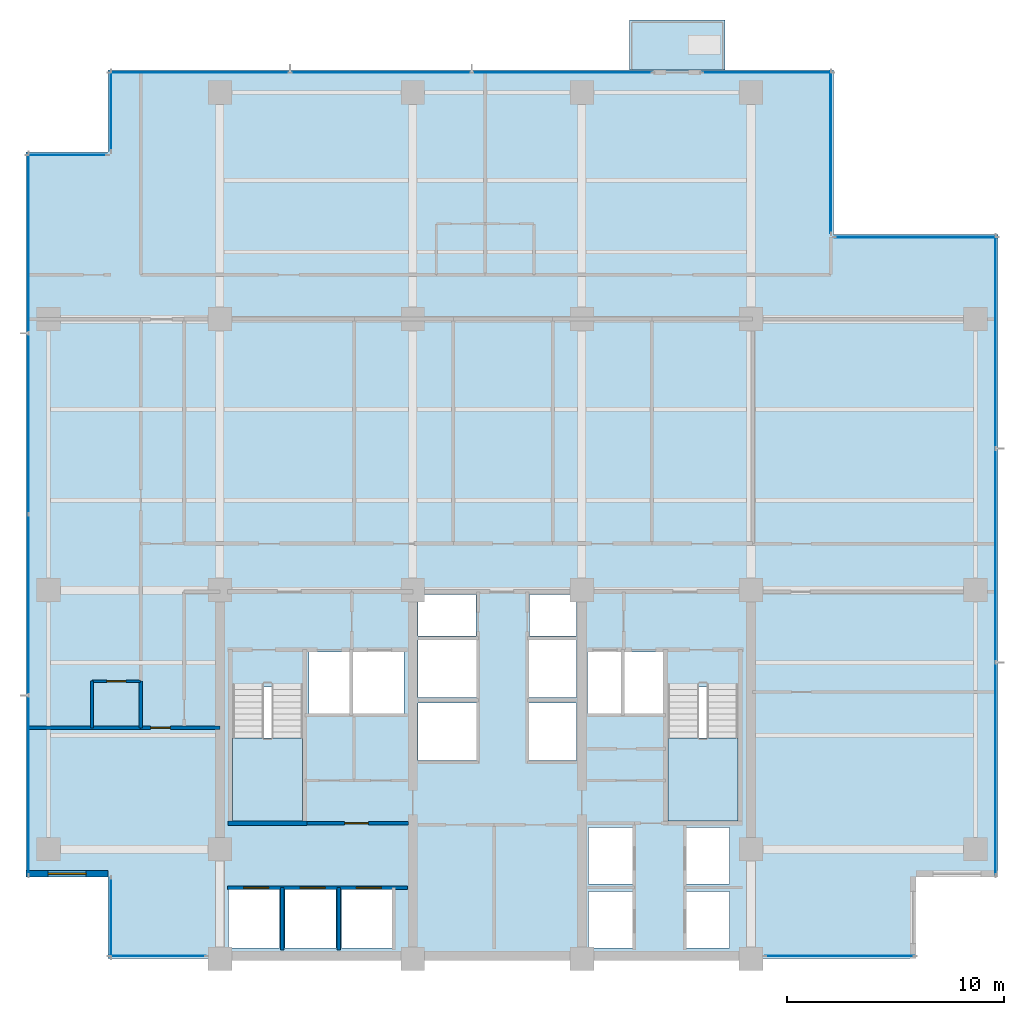
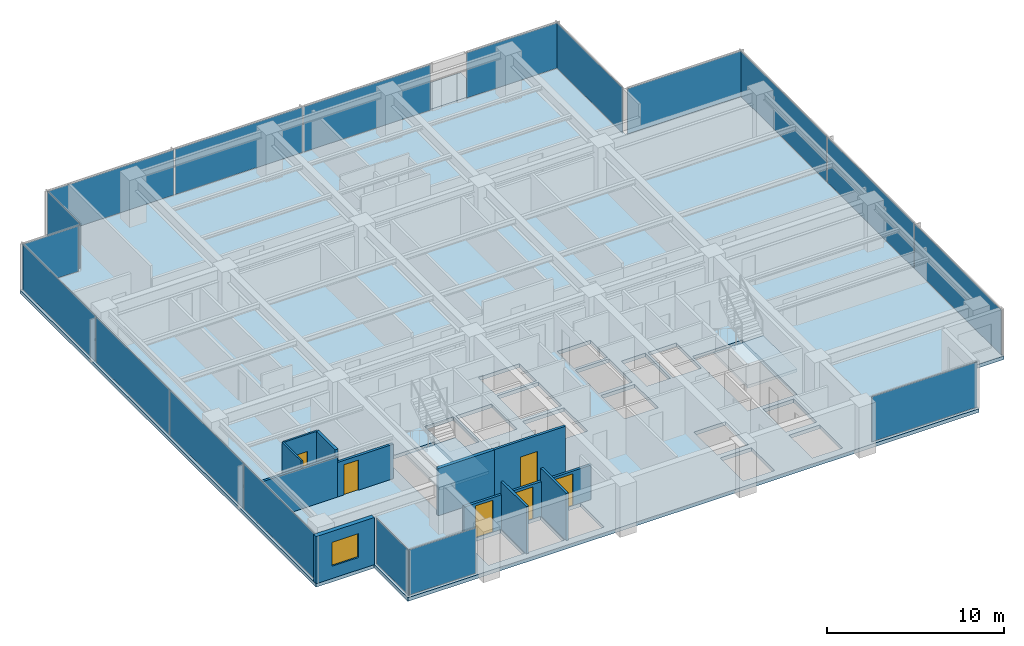
# One storey, part 6 of 15: 18 plates, 11 walls, 6 doors, 4 slabs, 1 window, 7 openings, 13 elements without a shape of their own.
"""IFC4 building model written with IfcOpenShell, lengths in metres."""

from ifc_helpers import new_model, si_unit, direction, frame, frame_2d, origin, origin_2d, place, context, subcontext, project, spatial, polyline, rectangle, outline, extrude, material, layer, layer_set, type_object, element, fill, aggregate, save


model = new_model("IFC4")

# Units and contexts
model_context = context("Model", 3, precision=1e-05, world=origin(), true_north=direction((0.0, 1.0)))
body_context = subcontext(model_context, "Body", "Model", "MODEL_VIEW")
ifc_project = project(units=[si_unit("LENGTHUNIT", "METRE"), si_unit("AREAUNIT", "SQUARE_METRE"), si_unit("VOLUMEUNIT", "CUBIC_METRE"), si_unit("PLANEANGLEUNIT", "RADIAN"), si_unit("MASSUNIT", "GRAM", prefix="KILO")], contexts=[model_context])

# Site, building, storey
site_placement = place(None, origin())
site = spatial("IfcSite", under=ifc_project, at=site_placement, CompositionType="ELEMENT")
building_placement = place(site_placement, origin())
building = spatial("IfcBuilding", under=site, at=building_placement, Name="Qalmaran Belvedere Hotel", CompositionType="ELEMENT")
storey_placement = place(building_placement, frame((0.0, 0.0, 149.10009765625)))
storey = spatial("IfcBuildingStorey", under=building, at=storey_placement, Name="L37", CompositionType="ELEMENT", Elevation=149.10009765625)

# Curtain wall, plate
ifc_material_1 = material(Name="Anodised Bronze Aluminium", Category="aluminium")
ifc_layer_1 = layer(ifc_material_1, 0.195068359375, Name="Anodised Bronze Aluminium")
ifc_layer_set_1 = layer_set([ifc_layer_1], Name="Anodised Bronze Aluminium")
curtain_wall_type = type_object("IfcCurtainWallType", Name="CW4-TOWER-HIGHMID", PredefinedType="NOTDEFINED", material=ifc_layer_set_1)
curtain_wall_1_placement = place(storey_placement, origin())
curtain_wall_1 = element("IfcCurtainWall", 1, at=curtain_wall_1_placement, inside=storey, type_object=curtain_wall_type, Name="L37 Curtain Wall CW4", PredefinedType="NOTDEFINED")
ifc_material_2 = material(Name="Solar-Control Double Glazing", Category="glass")
ifc_layer_2 = layer(ifc_material_2, 0.028076171875, Name="Solar-Control Double Glazing")
ifc_layer_set_2 = layer_set([ifc_layer_2], Name="Solar-Control Double Glazing")
plate_type = type_object("IfcPlateType", Name="CWP-VISION-28", PredefinedType="CURTAIN_PANEL", material=ifc_layer_set_2)
plate_1_placement = place(storey_placement, frame((17.429931640625, 3.6201171875, 0.06494140625), z_axis=(0.0, 0.0, 1.0), x_axis=(1.0, 0.0, 0.0)))
plate_1 = element("IfcPlate", 2, at=plate_1_placement, type_object=plate_type, Name="CW4 panel 1.1", PredefinedType="CURTAIN_PANEL", context=body_context, shape_type="SweptSolid", body=[
    extrude(rectangle(XDim=4.419921875, YDim=0.028076171875, at=origin_2d()), origin(), (0.0, 0.0, 1.0), 3.1201171875),
])
aggregate(curtain_wall_1, [plate_1])

curtain_wall_2_placement = place(storey_placement, origin())
curtain_wall_2 = element("IfcCurtainWall", 3, at=curtain_wall_2_placement, inside=storey, type_object=curtain_wall_type, Name="L37 Curtain Wall CW4", PredefinedType="NOTDEFINED")
plate_2_placement = place(storey_placement, frame((48.89501953125, 3.6201171875, 0.06494140625), z_axis=(0.0, 0.0, 1.0), x_axis=(1.0, 0.0, 0.0)))
plate_2 = element("IfcPlate", 4, at=plate_2_placement, type_object=plate_type, Name="CW4 panel 1.1", PredefinedType="CURTAIN_PANEL", context=body_context, shape_type="SweptSolid", body=[
    extrude(rectangle(XDim=6.8701171875, YDim=0.028076171875, at=origin_2d()), origin(), (0.0, 0.0, 1.0), 3.1201171875),
])
aggregate(curtain_wall_2, [plate_2])

# Curtain wall, plates
curtain_wall_3_placement = place(storey_placement, origin())
curtain_wall_3 = element("IfcCurtainWall", 5, at=curtain_wall_3_placement, inside=storey, type_object=curtain_wall_type, Name="L37 Curtain Wall CW4", PredefinedType="NOTDEFINED")
plate_3_placement = place(storey_placement, frame((56.080078125, 12.250732421875, 0.06494140625), z_axis=(0.0, 0.0, 1.0), x_axis=(0.0, 1.0, 0.0)))
plate_3 = element("IfcPlate", 6, at=plate_3_placement, type_object=plate_type, Name="CW4 panel 1.1", PredefinedType="CURTAIN_PANEL", context=body_context, shape_type="SweptSolid", body=[
    extrude(rectangle(XDim=9.76171875, YDim=0.028076171875, at=origin_2d()), origin(), (0.0, 0.0, 1.0), 3.1201171875),
])
plate_4_placement = place(storey_placement, frame((56.080078125, 22.10009765625, 0.06494140625), z_axis=(0.0, 0.0, 1.0), x_axis=(0.0, 1.0, 0.0)))
plate_4 = element("IfcPlate", 7, at=plate_4_placement, type_object=plate_type, Name="CW4 panel 2.1", PredefinedType="CURTAIN_PANEL", context=body_context, shape_type="SweptSolid", body=[
    extrude(rectangle(XDim=9.796630859375, YDim=0.028076171875, at=origin_2d()), origin(), (0.0, 0.0, 1.0), 3.1201171875),
])
plate_5_placement = place(storey_placement, frame((56.080078125, 31.94921875, 0.06494140625), z_axis=(0.0, 0.0, 1.0), x_axis=(0.0, 1.0, 0.0)))
plate_5 = element("IfcPlate", 8, at=plate_5_placement, type_object=plate_type, Name="CW4 panel 3.1", PredefinedType="CURTAIN_PANEL", context=body_context, shape_type="SweptSolid", body=[
    extrude(rectangle(XDim=9.76171875, YDim=0.028076171875, at=origin_2d()), origin(), (0.0, 0.0, 1.0), 3.1201171875),
])
aggregate(curtain_wall_3, [plate_3, plate_4, plate_5])

# Curtain wall, plate
curtain_wall_4_placement = place(storey_placement, origin())
curtain_wall_4 = element("IfcCurtainWall", 9, at=curtain_wall_4_placement, inside=storey, type_object=curtain_wall_type, Name="L37 Curtain Wall CW4", PredefinedType="NOTDEFINED")
plate_6_placement = place(storey_placement, frame((52.39990234375, 36.780029296875, 0.06494140625), z_axis=(0.0, 0.0, 1.0), x_axis=(-1.0, 0.0, 0.0)))
plate_6 = element("IfcPlate", 10, at=plate_6_placement, type_object=plate_type, Name="CW4 panel 1.1", PredefinedType="CURTAIN_PANEL", context=body_context, shape_type="SweptSolid", body=[
    extrude(rectangle(XDim=7.4599609375, YDim=0.028076171875, at=origin_2d()), origin(), (0.0, 0.0, 1.0), 3.1201171875),
])
aggregate(curtain_wall_4, [plate_6])

curtain_wall_5_placement = place(storey_placement, origin())
curtain_wall_5 = element("IfcCurtainWall", 11, at=curtain_wall_5_placement, inside=storey, type_object=curtain_wall_type, Name="L37 Curtain Wall CW4", PredefinedType="NOTDEFINED")
plate_7_placement = place(storey_placement, frame((48.47998046875, 40.699951171875, 0.06494140625), z_axis=(0.0, 0.0, 1.0), x_axis=(0.0, 1.0, 0.0)))
plate_7 = element("IfcPlate", 12, at=plate_7_placement, type_object=plate_type, Name="CW4 panel 1.1", PredefinedType="CURTAIN_PANEL", context=body_context, shape_type="SweptSolid", body=[
    extrude(rectangle(XDim=7.4599609375, YDim=0.028076171875, at=origin_2d()), origin(), (0.0, 0.0, 1.0), 3.1201171875),
])
aggregate(curtain_wall_5, [plate_7])

# Curtain wall, plates
curtain_wall_6_placement = place(storey_placement, origin())
curtain_wall_6 = element("IfcCurtainWall", 13, at=curtain_wall_6_placement, inside=storey, type_object=curtain_wall_type, Name="L37 Curtain Wall CW4", PredefinedType="NOTDEFINED")
plate_8_placement = place(storey_placement, frame((36.0908203125, 44.3798828125, 0.06494140625), z_axis=(0.0, 0.0, 1.0), x_axis=(-1.0, 0.0, 0.0)))
plate_8 = element("IfcPlate", 14, at=plate_8_placement, type_object=plate_type, Name="CW4 panel 1.1", PredefinedType="CURTAIN_PANEL", context=body_context, shape_type="SweptSolid", body=[
    extrude(rectangle(XDim=8.2783203125, YDim=0.028076171875, at=origin_2d()), origin(), (0.0, 0.0, 1.0), 3.1201171875),
])
plate_9_placement = place(storey_placement, frame((27.72509765625, 44.3798828125, 0.06494140625), z_axis=(0.0, 0.0, 1.0), x_axis=(-1.0, 0.0, 0.0)))
plate_9 = element("IfcPlate", 15, at=plate_9_placement, type_object=plate_type, Name="CW4 panel 2.1", PredefinedType="CURTAIN_PANEL", context=body_context, shape_type="SweptSolid", body=[
    extrude(rectangle(XDim=8.313232421875, YDim=0.028076171875, at=origin_2d()), origin(), (0.0, 0.0, 1.0), 3.1201171875),
])
plate_10_placement = place(storey_placement, frame((19.359130859375, 44.3798828125, 0.06494140625), z_axis=(0.0, 0.0, 1.0), x_axis=(-1.0, 0.0, 0.0)))
plate_10 = element("IfcPlate", 16, at=plate_10_placement, type_object=plate_type, Name="CW4 panel 3.1", PredefinedType="CURTAIN_PANEL", context=body_context, shape_type="SweptSolid", body=[
    extrude(rectangle(XDim=8.2783203125, YDim=0.028076171875, at=origin_2d()), origin(), (0.0, 0.0, 1.0), 3.1201171875),
])
aggregate(curtain_wall_6, [plate_8, plate_9, plate_10])

# Curtain wall, plate
curtain_wall_7_placement = place(storey_placement, origin())
curtain_wall_7 = element("IfcCurtainWall", 17, at=curtain_wall_7_placement, inside=storey, type_object=curtain_wall_type, Name="L37 Curtain Wall CW4", PredefinedType="NOTDEFINED")
plate_11_placement = place(storey_placement, frame((45.550048828125, 44.3798828125, 0.06494140625), z_axis=(0.0, 0.0, 1.0), x_axis=(-1.0, 0.0, 0.0)))
plate_11 = element("IfcPlate", 18, at=plate_11_placement, type_object=plate_type, Name="CW4 panel 1.1", PredefinedType="CURTAIN_PANEL", context=body_context, shape_type="SweptSolid", body=[
    extrude(rectangle(XDim=5.9599609375, YDim=0.028076171875, at=origin_2d()), origin(), (0.0, 0.0, 1.0), 3.1201171875),
])
aggregate(curtain_wall_7, [plate_11])

curtain_wall_8_placement = place(storey_placement, origin())
curtain_wall_8 = element("IfcCurtainWall", 19, at=curtain_wall_8_placement, inside=storey, type_object=curtain_wall_type, Name="L37 Curtain Wall CW4", PredefinedType="NOTDEFINED")
plate_12_placement = place(storey_placement, frame((15.27001953125, 42.60009765625, 0.06494140625), z_axis=(0.0, 0.0, 1.0), x_axis=(0.0, -1.0, 0.0)))
plate_12 = element("IfcPlate", 20, at=plate_12_placement, type_object=plate_type, Name="CW4 panel 1.1", PredefinedType="CURTAIN_PANEL", context=body_context, shape_type="SweptSolid", body=[
    extrude(rectangle(XDim=3.659912109375, YDim=0.028076171875, at=origin_2d()), origin(), (0.0, 0.0, 1.0), 3.1201171875),
])
aggregate(curtain_wall_8, [plate_12])

curtain_wall_9_placement = place(storey_placement, origin())
curtain_wall_9 = element("IfcCurtainWall", 21, at=curtain_wall_9_placement, inside=storey, type_object=curtain_wall_type, Name="L37 Curtain Wall CW4", PredefinedType="NOTDEFINED")
plate_13_placement = place(storey_placement, frame((13.25, 40.580078125, 0.06494140625), z_axis=(0.0, 0.0, 1.0), x_axis=(-1.0, 0.0, 0.0)))
plate_13 = element("IfcPlate", 22, at=plate_13_placement, type_object=plate_type, Name="CW4 panel 1.1", PredefinedType="CURTAIN_PANEL", context=body_context, shape_type="SweptSolid", body=[
    extrude(rectangle(XDim=3.659912109375, YDim=0.028076171875, at=origin_2d()), origin(), (0.0, 0.0, 1.0), 3.1201171875),
])
aggregate(curtain_wall_9, [plate_13])

# Curtain wall, plates
curtain_wall_10_placement = place(storey_placement, origin())
curtain_wall_10 = element("IfcCurtainWall", 23, at=curtain_wall_10_placement, inside=storey, type_object=curtain_wall_type, Name="L37 Curtain Wall CW4", PredefinedType="NOTDEFINED")
plate_14_placement = place(storey_placement, frame((11.469970703125, 36.507568359375, 0.06494140625), z_axis=(0.0, 0.0, 1.0), x_axis=(0.0, -1.0, 0.0)))
plate_14 = element("IfcPlate", 24, at=plate_14_placement, type_object=plate_type, Name="CW4 panel 1.1", PredefinedType="CURTAIN_PANEL", context=body_context, shape_type="SweptSolid", body=[
    extrude(rectangle(XDim=8.2451171875, YDim=0.028076171875, at=origin_2d()), origin(), (0.0, 0.0, 1.0), 3.1201171875),
])
plate_15_placement = place(storey_placement, frame((11.469970703125, 28.175048828125, 0.06494140625), z_axis=(0.0, 0.0, 1.0), x_axis=(0.0, -1.0, 0.0)))
plate_15 = element("IfcPlate", 25, at=plate_15_placement, type_object=plate_type, Name="CW4 panel 2.1", PredefinedType="CURTAIN_PANEL", context=body_context, shape_type="SweptSolid", body=[
    extrude(rectangle(XDim=8.280029296875, YDim=0.028076171875, at=origin_2d()), origin(), (0.0, 0.0, 1.0), 3.1201171875),
])
plate_16_placement = place(storey_placement, frame((11.469970703125, 19.824951171875, 0.06494140625), z_axis=(0.0, 0.0, 1.0), x_axis=(0.0, -1.0, 0.0)))
plate_16 = element("IfcPlate", 26, at=plate_16_placement, type_object=plate_type, Name="CW4 panel 3.1", PredefinedType="CURTAIN_PANEL", context=body_context, shape_type="SweptSolid", body=[
    extrude(rectangle(XDim=8.280029296875, YDim=0.028076171875, at=origin_2d()), origin(), (0.0, 0.0, 1.0), 3.1201171875),
])
plate_17_placement = place(storey_placement, frame((11.469970703125, 11.492431640625, 0.06494140625), z_axis=(0.0, 0.0, 1.0), x_axis=(0.0, -1.0, 0.0)))
plate_17 = element("IfcPlate", 27, at=plate_17_placement, type_object=plate_type, Name="CW4 panel 4.1", PredefinedType="CURTAIN_PANEL", context=body_context, shape_type="SweptSolid", body=[
    extrude(rectangle(XDim=8.2451171875, YDim=0.028076171875, at=origin_2d()), origin(), (0.0, 0.0, 1.0), 3.1201171875),
])
aggregate(curtain_wall_10, [plate_14, plate_15, plate_16, plate_17])

# Curtain wall, plate
curtain_wall_11_placement = place(storey_placement, origin())
curtain_wall_11 = element("IfcCurtainWall", 28, at=curtain_wall_11_placement, inside=storey, type_object=curtain_wall_type, Name="L37 Curtain Wall CW4", PredefinedType="NOTDEFINED")
plate_18_placement = place(storey_placement, frame((15.27001953125, 5.39990234375, 0.06494140625), z_axis=(0.0, 0.0, 1.0), x_axis=(0.0, -1.0, 0.0)))
plate_18 = element("IfcPlate", 29, at=plate_18_placement, type_object=plate_type, Name="CW4 panel 1.1", PredefinedType="CURTAIN_PANEL", context=body_context, shape_type="SweptSolid", body=[
    extrude(rectangle(XDim=3.659912109375, YDim=0.028076171875, at=origin_2d()), origin(), (0.0, 0.0, 1.0), 3.1201171875),
])
aggregate(curtain_wall_11, [plate_18])

# Slab
ifc_material_3 = material(Name="Concrete C40/50", Category="concrete")
ifc_layer_3 = layer(ifc_material_3, 0.219970703125, Name="Concrete C40/50")
ifc_layer_set_3 = layer_set([ifc_layer_3], Name="Concrete C40/50")
slab_type_1 = type_object("IfcSlabType", Name="SLB-BAL-220", PredefinedType="USERDEFINED", material=ifc_layer_set_3)
slab_1_placement = place(storey_placement, frame((0.0, 0.0, -0.22021484375)))
element("IfcSlab", 30, at=slab_1_placement, inside=storey, type_object=slab_type_1, Name="L37 Planted Tree Balcony Slab 1", ObjectType="BALCONY", PredefinedType="USERDEFINED", context=body_context, shape_type="SweptSolid", body=[
    extrude(outline(polyline([(39.199951171875, 44.5), (43.60009765625, 44.5), (43.60009765625, 46.800048828125), (39.199951171875, 46.800048828125), (39.199951171875, 44.5)])), origin(), (0.0, 0.0, 1.0), 0.22021484375),
])

# Stair, slab
stair_type_1 = type_object("IfcStairType", Name="STR-ST-1-1450-R1750", PredefinedType="HALF_TURN_STAIR", material=ifc_material_3)
stair_1_placement = place(storey_placement, origin())
stair_1 = element("IfcStair", 31, at=stair_1_placement, inside=storey, type_object=stair_type_1, Name="L37 West Core Exit Stair ST-1", PredefinedType="HALF_TURN_STAIR")
ifc_layer_4 = layer(ifc_material_3, 0.199951171875, Name="Concrete C40/50")
ifc_layer_set_4 = layer_set([ifc_layer_4], Name="Concrete C40/50")
slab_type_2 = type_object("IfcSlabType", Name="SLB-STAIR-LANDING-200", PredefinedType="LANDING", material=ifc_layer_set_4)
slab_2_placement = place(storey_placement, frame((0.0, 0.0, 1.5498046875)))
slab_2 = element("IfcSlab", 32, at=slab_2_placement, type_object=slab_type_2, Name="ST-1 landing 1", PredefinedType="LANDING", context=body_context, shape_type="SweptSolid", body=[
    extrude(outline(polyline([(20.8798828125, 13.669921875), (20.8798828125, 9.85009765625), (24.1201171875, 9.85009765625), (24.1201171875, 13.669921875), (20.8798828125, 13.669921875)])), origin(), (0.0, 0.0, 1.0), 0.2001953125),
])
aggregate(stair_1, [slab_2])

stair_type_2 = type_object("IfcStairType", Name="STR-ST-2-1450-R1750", PredefinedType="HALF_TURN_STAIR", material=ifc_material_3)
stair_2_placement = place(storey_placement, origin())
stair_2 = element("IfcStair", 33, at=stair_2_placement, inside=storey, type_object=stair_type_2, Name="L37 East Core Exit Stair ST-2", PredefinedType="HALF_TURN_STAIR")
slab_3_placement = place(storey_placement, frame((0.0, 0.0, 1.5498046875)))
slab_3 = element("IfcSlab", 34, at=slab_3_placement, type_object=slab_type_2, Name="ST-2 landing 1", PredefinedType="LANDING", context=body_context, shape_type="SweptSolid", body=[
    extrude(outline(polyline([(40.9599609375, 13.669921875), (40.9599609375, 9.85009765625), (44.199951171875, 9.85009765625), (44.199951171875, 13.669921875), (40.9599609375, 13.669921875)])), origin(), (0.0, 0.0, 1.0), 0.2001953125),
])
aggregate(stair_2, [slab_3])

# Slab
ifc_layer_5 = layer(ifc_material_3, 0.25, Name="Concrete C40/50")
ifc_layer_set_5 = layer_set([ifc_layer_5], Name="Concrete C40/50")
slab_type_3 = type_object("IfcSlabType", Name="SLB-Z3-250", PredefinedType="FLOOR", material=ifc_layer_set_5)
slab_4_placement = place(storey_placement, frame((0.0, 0.0, -0.25)))
element("IfcSlab", 35, at=slab_4_placement, inside=storey, type_object=slab_type_3, Name="L37 Structural Floor Slab", PredefinedType="FLOOR", context=body_context, shape_type="SweptSolid", body=[
    extrude(outline(polyline([(15.14990234375, 3.5), (52.39990234375, 3.5), (52.39990234375, 7.300048828125), (56.199951171875, 7.300048828125), (56.199951171875, 36.89990234375), (48.60009765625, 36.89990234375), (48.60009765625, 44.5), (15.14990234375, 44.5), (15.14990234375, 40.699951171875), (11.35009765625, 40.699951171875), (11.35009765625, 7.300048828125), (15.14990234375, 7.300048828125), (15.14990234375, 3.5)]), holes=[polyline([(20.8798828125, 9.85009765625), (24.1201171875, 9.85009765625), (24.1201171875, 16.0400390625), (20.8798828125, 16.0400390625), (20.8798828125, 9.85009765625)]), polyline([(40.9599609375, 9.85009765625), (44.199951171875, 9.85009765625), (44.199951171875, 16.0400390625), (40.9599609375, 16.0400390625), (40.9599609375, 9.85009765625)]), polyline([(29.445068359375, 12.64990234375), (32.14990234375, 12.64990234375), (32.14990234375, 15.300048828125), (29.445068359375, 15.300048828125), (29.445068359375, 12.64990234375)]), polyline([(29.445068359375, 15.550048828125), (32.14990234375, 15.550048828125), (32.14990234375, 18.199951171875), (29.445068359375, 18.199951171875), (29.445068359375, 15.550048828125)]), polyline([(34.550048828125, 12.64990234375), (36.7548828125, 12.64990234375), (36.7548828125, 15.300048828125), (34.550048828125, 15.300048828125), (34.550048828125, 12.64990234375)]), polyline([(34.550048828125, 15.550048828125), (36.7548828125, 15.550048828125), (36.7548828125, 18.199951171875), (34.550048828125, 18.199951171875), (34.550048828125, 15.550048828125)]), polyline([(37.300048828125, 4.0), (39.35009765625, 4.0), (39.35009765625, 6.60009765625), (37.300048828125, 6.60009765625), (37.300048828125, 4.0)]), polyline([(37.300048828125, 6.949951171875), (39.35009765625, 6.949951171875), (39.35009765625, 9.550048828125), (37.300048828125, 9.550048828125), (37.300048828125, 6.949951171875)]), polyline([(41.800048828125, 4.0), (43.800048828125, 4.0), (43.800048828125, 6.60009765625), (41.800048828125, 6.60009765625), (41.800048828125, 4.0)]), polyline([(41.800048828125, 6.949951171875), (43.800048828125, 6.949951171875), (43.800048828125, 9.550048828125), (41.800048828125, 9.550048828125), (41.800048828125, 6.949951171875)]), polyline([(20.699951171875, 4.0), (23.050048828125, 4.0), (23.050048828125, 6.699951171875), (20.699951171875, 6.699951171875), (20.699951171875, 4.0)]), polyline([(23.300048828125, 4.0), (25.64990234375, 4.0), (25.64990234375, 6.699951171875), (23.300048828125, 6.699951171875), (23.300048828125, 4.0)]), polyline([(25.89990234375, 4.0), (28.25, 4.0), (28.25, 6.699951171875), (25.89990234375, 6.699951171875), (25.89990234375, 4.0)]), polyline([(24.39990234375, 14.800048828125), (26.300048828125, 14.800048828125), (26.300048828125, 17.64990234375), (24.39990234375, 17.64990234375), (24.39990234375, 14.800048828125)]), polyline([(38.949951171875, 14.800048828125), (40.820068359375, 14.800048828125), (40.820068359375, 17.64990234375), (38.949951171875, 17.64990234375), (38.949951171875, 14.800048828125)]), polyline([(26.449951171875, 14.800048828125), (28.800048828125, 14.800048828125), (28.800048828125, 17.64990234375), (26.449951171875, 17.64990234375), (26.449951171875, 14.800048828125)]), polyline([(37.25, 14.800048828125), (38.800048828125, 14.800048828125), (38.800048828125, 17.64990234375), (37.25, 17.64990234375), (37.25, 14.800048828125)]), polyline([(29.445068359375, 18.3798828125), (32.1201171875, 18.3798828125), (32.1201171875, 20.300048828125), (29.445068359375, 20.300048828125), (29.445068359375, 18.3798828125)]), polyline([(34.580078125, 18.3798828125), (36.7548828125, 18.3798828125), (36.7548828125, 20.300048828125), (34.580078125, 20.300048828125), (34.580078125, 18.3798828125)])]), origin(), (0.0, 0.0, 1.0), 0.25),
])

# Wall, opening, window
ifc_material_4 = material(Name="Anodised Bronze Cladding")
ifc_layer_6 = layer(ifc_material_4, 0.280029296875, Name="Anodised Bronze Cladding")
ifc_layer_set_6 = layer_set([ifc_layer_6], Name="Anodised Bronze Cladding")
wall_type_1 = type_object("IfcWallType", Name="WL-EXT-BRNZ-280", PredefinedType="SOLIDWALL", material=ifc_layer_set_6)
wall_1_placement = place(storey_placement, frame((11.35009765625, 7.419921875, 0.0), z_axis=(0.0, 0.0, 1.0), x_axis=(1.0, 0.0, 0.0)))
wall_1 = element("IfcWall", 36, at=wall_1_placement, inside=storey, type_object=wall_type_1, Name="L37 Corner Notch Wall 10", PredefinedType="SOLIDWALL", context=body_context, shape_type="SweptSolid", body=[
    extrude(rectangle(XDim=3.7998046875, YDim=0.280029296875, at=frame_2d((1.89990234375, 0.0))), origin(), (0.0, 0.0, 1.0), 3.25),
])
opening_1_placement = place(wall_1_placement, frame((1.02490234375, 0.0, 0.85009765625)))
opening_1 = element("IfcOpeningElement", 37, at=opening_1_placement, cuts=wall_1, Name="Opening W-N17", PredefinedType="OPENING", context=body_context, shape_type="SweptSolid", body=[
    extrude(rectangle(XDim=1.75, YDim=1.64990234375, at=frame_2d((0.875, 0.824951171875))), frame((0.0, 0.14990234375, 0.0), z_axis=(0.0, -1.0, 0.0), x_axis=(1.0, 0.0, 0.0)), (0.0, 0.0, 1.0), 0.300048828125),
])
window_type = type_object("IfcWindowType", Name="WN-NTC-1750X1650", PartitioningType="SINGLE_PANEL", PredefinedType="WINDOW", material=ifc_material_2)
window_placement = place(opening_1_placement, origin())
window = element("IfcWindow", 38, at=window_placement, inside=storey, type_object=window_type, Name="L37 Corner Notch Window 10", OverallHeight=1.64990234375, OverallWidth=1.75, PartitioningType="SINGLE_PANEL", PredefinedType="WINDOW", context=body_context, shape_type="SweptSolid", body=[
    extrude(rectangle(XDim=1.75, YDim=1.64990234375, at=frame_2d((0.875, 0.824951171875))), frame((0.0, 0.030029296875, 0.0), z_axis=(0.0, -1.0, 0.0), x_axis=(1.0, 0.0, 0.0)), (0.0, 0.0, 1.0), 0.06005859375),
])
fill(opening_1, window)

# Wall, opening, door
ifc_material_5 = material(Name="Moisture-Resistant Gypsum")
ifc_layer_7 = layer(ifc_material_5, 0.1201171875, Name="Moisture-Resistant Gypsum")
ifc_layer_set_7 = layer_set([ifc_layer_7], Name="Moisture-Resistant Gypsum")
wall_type_2 = type_object("IfcWallType", Name="WL-INT-120-BATH", PredefinedType="PARTITIONING", material=ifc_layer_set_7)
wall_2_placement = place(storey_placement, frame((14.39990234375, 16.300048828125, 0.0), z_axis=(0.0, 0.0, 1.0), x_axis=(1.0, 0.0, 0.0)))
wall_2 = element("IfcWall", 39, at=wall_2_placement, inside=storey, type_object=wall_type_2, Name="L37 Partition WL-L37-WBN00", PredefinedType="PARTITIONING", context=body_context, shape_type="SweptSolid", body=[
    extrude(rectangle(XDim=2.25, YDim=0.1201171875, at=frame_2d((1.125, 0.0))), origin(), (0.0, 0.0, 1.0), 3.25),
])
opening_2_placement = place(wall_2_placement, frame((1.56494140625, 0.0, 0.0), z_axis=(0.0, 0.0, 1.0), x_axis=(-1.0, 0.0, 0.0)))
opening_2 = element("IfcOpeningElement", 40, at=opening_2_placement, cuts=wall_2, Name="Opening D-BATH", PredefinedType="OPENING", context=body_context, shape_type="SweptSolid", body=[
    extrude(rectangle(XDim=0.8798828125, YDim=2.080078125, at=frame_2d((0.43994140625, 1.0400390625))), frame((0.0, 0.070068359375, 0.0), z_axis=(0.0, -1.0, 0.0), x_axis=(1.0, 0.0, 0.0)), (0.0, 0.0, 1.0), 0.14013671875),
])
ifc_material_6 = material(Name="Engineered Oak Veneer")
door_type_1 = type_object("IfcDoorType", Name="DR-INT-BATH-880X2080", OperationType="NOTDEFINED", PredefinedType="DOOR", material=ifc_material_6)
door_1_placement = place(opening_2_placement, origin())
door_1 = element("IfcDoor", 41, at=door_1_placement, inside=storey, type_object=door_type_1, Name="L37 W Ensuite Door 01", OperationType="SINGLE_SWING_RIGHT", OverallHeight=2.080078125, OverallWidth=0.8798828125, PredefinedType="DOOR", context=body_context, shape_type="SweptSolid", body=[
    extrude(rectangle(XDim=0.8798828125, YDim=2.080078125, at=frame_2d((0.43994140625, 1.0400390625))), frame((0.0, 0.02490234375, 0.0), z_axis=(0.0, -1.0, 0.0), x_axis=(1.0, 0.0, 0.0)), (0.0, 0.0, 1.0), 0.050048828125),
])
fill(opening_2, door_1)

# Walls
wall_3_placement = place(storey_placement, frame((14.39990234375, 14.14990234375, 0.0), z_axis=(0.0, 0.0, 1.0), x_axis=(0.0, 1.0, 0.0)))
element("IfcWall", 42, at=wall_3_placement, inside=storey, type_object=wall_type_2, Name="L37 Partition WL-L37-WBS00", PredefinedType="PARTITIONING", context=body_context, shape_type="SweptSolid", body=[
    extrude(rectangle(XDim=2.150146484375, YDim=0.1201171875, at=frame_2d((1.0751953125, 0.0))), origin(), (0.0, 0.0, 1.0), 3.25),
])
ifc_material_7 = material(Name="Gypsum Stud Partition")
ifc_layer_8 = layer(ifc_material_7, 0.14990234375, Name="Gypsum Stud Partition")
ifc_layer_set_8 = layer_set([ifc_layer_8], Name="Gypsum Stud Partition")
wall_type_3 = type_object("IfcWallType", Name="WL-INT-150-EI120", PredefinedType="PARTITIONING", material=ifc_layer_set_8)
for number, where, z_axis, x_axis, name in (
    (43, (23.179931640625, 3.89990234375, 0.0), (0.0, 0.0, 1.0), (0.0, 1.0, 0.0), "L37 Partition WL-POM1-L37"),
    (44, (25.780029296875, 3.89990234375, 0.0), (0.0, 0.0, 1.0), (0.0, 1.0, 0.0), "L37 Partition WL-POM2-L37"),
):
    element("IfcWall", number, at=place(storey_placement, frame(where, z_axis=z_axis, x_axis=x_axis)), inside=storey, type_object=wall_type_3, Name=name, PredefinedType="PARTITIONING", context=body_context, shape_type="SweptSolid", body=[
        extrude(rectangle(XDim=2.880126953125, YDim=0.14990234375, at=frame_2d((1.43994140625, 0.0))), origin(), (0.0, 0.0, 1.0), 3.25),
    ])

# Wall, openings, doors
ifc_layer_9 = layer(ifc_material_7, 0.159912109375, Name="Gypsum Stud Partition")
ifc_layer_set_9 = layer_set([ifc_layer_9], Name="Gypsum Stud Partition")
wall_type_4 = type_object("IfcWallType", Name="WL-INT-160-EI120", PredefinedType="PARTITIONING", material=ifc_layer_set_9)
wall_4_placement = place(storey_placement, frame((20.64990234375, 6.780029296875, 0.0), z_axis=(0.0, 0.0, 1.0), x_axis=(1.0, 0.0, 0.0)))
wall_4 = element("IfcWall", 45, at=wall_4_placement, inside=storey, type_object=wall_type_4, Name="L37 Partition WL-POS-L37", PredefinedType="PARTITIONING", context=body_context, shape_type="SweptSolid", body=[
    extrude(rectangle(XDim=8.300048828125, YDim=0.159912109375, at=frame_2d((4.14990234375, 0.0))), origin(), (0.0, 0.0, 1.0), 2.3798828125),
])
opening_3_placement = place(wall_4_placement, frame((0.75, 0.0, 0.0)))
opening_3 = element("IfcOpeningElement", 46, at=opening_3_placement, cuts=wall_4, Name="Opening LD-PO", PredefinedType="OPENING", context=body_context, shape_type="SweptSolid", body=[
    extrude(rectangle(XDim=1.14990234375, YDim=2.199951171875, at=frame_2d((0.574951171875, 1.10009765625))), frame((0.0, 0.08984375, 0.0), z_axis=(0.0, -1.0, 0.0), x_axis=(1.0, 0.0, 0.0)), (0.0, 0.0, 1.0), 0.179931640625),
])
opening_4_placement = place(wall_4_placement, frame((3.35009765625, 0.0, 0.0)))
opening_4 = element("IfcOpeningElement", 47, at=opening_4_placement, cuts=wall_4, Name="Opening LD-PO", PredefinedType="OPENING", context=body_context, shape_type="SweptSolid", body=[
    extrude(rectangle(XDim=1.14990234375, YDim=2.199951171875, at=frame_2d((0.574951171875, 1.10009765625))), frame((0.0, 0.08984375, 0.0), z_axis=(0.0, -1.0, 0.0), x_axis=(1.0, 0.0, 0.0)), (0.0, 0.0, 1.0), 0.179931640625),
])
opening_5_placement = place(wall_4_placement, frame((5.949951171875, 0.0, 0.0)))
opening_5 = element("IfcOpeningElement", 48, at=opening_5_placement, cuts=wall_4, Name="Opening LD-PO", PredefinedType="OPENING", context=body_context, shape_type="SweptSolid", body=[
    extrude(rectangle(XDim=1.14990234375, YDim=2.199951171875, at=frame_2d((0.574951171875, 1.10009765625))), frame((0.0, 0.08984375, 0.0), z_axis=(0.0, -1.0, 0.0), x_axis=(1.0, 0.0, 0.0)), (0.0, 0.0, 1.0), 0.179931640625),
])
door_type_2 = type_object("IfcDoorType", Name="DR-LIFT-PO-1150X2200", OperationType="DOUBLE_DOOR_SLIDING", PredefinedType="DOOR", material=ifc_material_1)
door_2_placement = place(opening_3_placement, origin())
door_2 = element("IfcDoor", 49, at=door_2_placement, inside=storey, type_object=door_type_2, Name="L37 PO1 Shuttle Landing Door", OperationType="DOUBLE_DOOR_SLIDING", OverallHeight=2.199951171875, OverallWidth=1.14990234375, PredefinedType="DOOR", context=body_context, shape_type="SweptSolid", body=[
    extrude(rectangle(XDim=1.14990234375, YDim=2.199951171875, at=frame_2d((0.574951171875, 1.10009765625))), frame((0.0, 0.02490234375, 0.0), z_axis=(0.0, -1.0, 0.0), x_axis=(1.0, 0.0, 0.0)), (0.0, 0.0, 1.0), 0.050048828125),
])
fill(opening_3, door_2)
door_3_placement = place(opening_4_placement, origin())
door_3 = element("IfcDoor", 50, at=door_3_placement, inside=storey, type_object=door_type_2, Name="L37 PO2 Shuttle Landing Door", OperationType="DOUBLE_DOOR_SLIDING", OverallHeight=2.199951171875, OverallWidth=1.14990234375, PredefinedType="DOOR", context=body_context, shape_type="SweptSolid", body=[
    extrude(rectangle(XDim=1.14990234375, YDim=2.199951171875, at=frame_2d((0.574951171875, 1.10009765625))), frame((0.0, 0.02490234375, 0.0), z_axis=(0.0, -1.0, 0.0), x_axis=(1.0, 0.0, 0.0)), (0.0, 0.0, 1.0), 0.050048828125),
])
fill(opening_4, door_3)
door_4_placement = place(opening_5_placement, origin())
door_4 = element("IfcDoor", 51, at=door_4_placement, inside=storey, type_object=door_type_2, Name="L37 PO3 Shuttle Landing Door", OperationType="DOUBLE_DOOR_SLIDING", OverallHeight=2.199951171875, OverallWidth=1.14990234375, PredefinedType="DOOR", context=body_context, shape_type="SweptSolid", body=[
    extrude(rectangle(XDim=1.14990234375, YDim=2.199951171875, at=frame_2d((0.574951171875, 1.10009765625))), frame((0.0, 0.02490234375, 0.0), z_axis=(0.0, -1.0, 0.0), x_axis=(1.0, 0.0, 0.0)), (0.0, 0.0, 1.0), 0.050048828125),
])
fill(opening_5, door_4)

# Wall, opening, door
wall_5_placement = place(storey_placement, frame((24.199951171875, 9.739990234375, 0.0), z_axis=(0.0, 0.0, 1.0), x_axis=(1.0, 0.0, 0.0)))
wall_5 = element("IfcWall", 52, at=wall_5_placement, inside=storey, type_object=wall_type_4, Name="L37 Partition WL-PON-L37", PredefinedType="PARTITIONING", context=body_context, shape_type="SweptSolid", body=[
    extrude(rectangle(XDim=4.800048828125, YDim=0.159912109375, at=frame_2d((2.39990234375, 0.0))), origin(), (0.0, 0.0, 1.0), 3.25),
])
opening_6_placement = place(wall_5_placement, frame((1.85009765625, 0.0, 0.0)))
opening_6 = element("IfcOpeningElement", 53, at=opening_6_placement, cuts=wall_5, Name="Opening FD90", PredefinedType="OPENING", context=body_context, shape_type="SweptSolid", body=[
    extrude(rectangle(XDim=1.10009765625, YDim=2.14990234375, at=frame_2d((0.550048828125, 1.074951171875))), frame((0.0, 0.08984375, 0.0), z_axis=(0.0, -1.0, 0.0), x_axis=(1.0, 0.0, 0.0)), (0.0, 0.0, 1.0), 0.179931640625),
])
ifc_material_8 = material(Name="Steel S355JR", Category="steel")
door_type_3 = type_object("IfcDoorType", Name="DR-FD90-1100X2150", OperationType="NOTDEFINED", PredefinedType="DOOR", material=ifc_material_8)
door_5_placement = place(opening_6_placement, origin())
door_5 = element("IfcDoor", 54, at=door_5_placement, inside=storey, type_object=door_type_3, Name="L37 Shuttle Lobby Passage Door", OperationType="SINGLE_SWING_RIGHT", OverallHeight=2.14990234375, OverallWidth=1.10009765625, PredefinedType="DOOR", context=body_context, shape_type="SweptSolid", body=[
    extrude(rectangle(XDim=1.10009765625, YDim=2.14990234375, at=frame_2d((0.550048828125, 1.074951171875))), frame((0.0, 0.02490234375, 0.0), z_axis=(0.0, -1.0, 0.0), x_axis=(1.0, 0.0, 0.0)), (0.0, 0.0, 1.0), 0.050048828125),
])
fill(opening_6, door_5)

ifc_layer_10 = layer(ifc_material_7, 0.159912109375, Name="Gypsum Stud Partition")
ifc_layer_set_10 = layer_set([ifc_layer_10], Name="Gypsum Stud Partition")
wall_type_5 = type_object("IfcWallType", Name="WL-INT-160-EI60", PredefinedType="PARTITIONING", material=ifc_layer_set_10)
wall_6_placement = place(storey_placement, frame((16.64990234375, 14.14990234375, 0.0), z_axis=(0.0, 0.0, 1.0), x_axis=(1.0, 0.0, 0.0)))
wall_6 = element("IfcWall", 55, at=wall_6_placement, inside=storey, type_object=wall_type_5, Name="L37 Partition WL-L37-SWRL", PredefinedType="PARTITIONING", context=body_context, shape_type="SweptSolid", body=[
    extrude(rectangle(XDim=3.650146484375, YDim=0.159912109375, at=frame_2d((1.8251953125, 0.0))), origin(), (0.0, 0.0, 1.0), 2.3798828125),
])
opening_7_placement = place(wall_6_placement, frame((1.369873046875, 0.0, 0.0), z_axis=(0.0, 0.0, 1.0), x_axis=(-1.0, 0.0, 0.0)))
opening_7 = element("IfcOpeningElement", 56, at=opening_7_placement, cuts=wall_6, Name="Opening FD60S1", PredefinedType="OPENING", context=body_context, shape_type="SweptSolid", body=[
    extrude(rectangle(XDim=0.919921875, YDim=2.080078125, at=frame_2d((0.4599609375, 1.0400390625))), frame((0.0, 0.08984375, 0.0), z_axis=(0.0, -1.0, 0.0), x_axis=(1.0, 0.0, 0.0)), (0.0, 0.0, 1.0), 0.179931640625),
])
door_type_4 = type_object("IfcDoorType", Name="DR-FD60S-920X2080", OperationType="NOTDEFINED", PredefinedType="DOOR", material=ifc_material_6)
door_6_placement = place(opening_7_placement, origin())
door_6 = element("IfcDoor", 57, at=door_6_placement, inside=storey, type_object=door_type_4, Name="L37 SW Study Door", OperationType="SINGLE_SWING_LEFT", OverallHeight=2.080078125, OverallWidth=0.919921875, PredefinedType="DOOR", context=body_context, shape_type="SweptSolid", body=[
    extrude(rectangle(XDim=0.919921875, YDim=2.080078125, at=frame_2d((0.4599609375, 1.0400390625))), frame((0.0, 0.02490234375, 0.0), z_axis=(0.0, -1.0, 0.0), x_axis=(1.0, 0.0, 0.0)), (0.0, 0.0, 1.0), 0.050048828125),
])
fill(opening_7, door_6)

# Walls
wall_7_placement = place(storey_placement, frame((11.469970703125, 14.14990234375, 0.0), z_axis=(0.0, 0.0, 1.0), x_axis=(1.0, 0.0, 0.0)))
element("IfcWall", 58, at=wall_7_placement, inside=storey, type_object=wall_type_5, Name="L37 Partition WL-L37-WBOT", PredefinedType="PARTITIONING", context=body_context, shape_type="SweptSolid", body=[
    extrude(rectangle(XDim=5.179931640625, YDim=0.159912109375, at=frame_2d((2.58984375, 0.0))), origin(), (0.0, 0.0, 1.0), 2.77197265625),
])
ifc_layer_11 = layer(ifc_material_7, 0.179931640625, Name="Gypsum Stud Partition")
ifc_layer_set_11 = layer_set([ifc_layer_11], Name="Gypsum Stud Partition")
wall_type_6 = type_object("IfcWallType", Name="WL-INT-180-EI60", PredefinedType="PARTITIONING", material=ifc_layer_set_11)
wall_8_placement = place(storey_placement, frame((16.64990234375, 14.14990234375, 0.0), z_axis=(0.0, 0.0, 1.0), x_axis=(0.0, 1.0, 0.0)))
element("IfcWall", 59, at=wall_8_placement, inside=storey, type_object=wall_type_6, Name="L37 Partition WL-L37-WBC00", PredefinedType="PARTITIONING", context=body_context, shape_type="SweptSolid", body=[
    extrude(rectangle(XDim=2.150146484375, YDim=0.179931640625, at=frame_2d((1.0751953125, 0.0))), origin(), (0.0, 0.0, 1.0), 3.25),
])
ifc_material_9 = material(Name="Concrete C50/60", Category="concrete")
ifc_layer_12 = layer(ifc_material_9, 0.2099609375, Name="Concrete C50/60")
ifc_layer_set_12 = layer_set([ifc_layer_12], Name="Concrete C50/60")
wall_type_7 = type_object("IfcWallType", Name="WL-STAIR-210-C50", PredefinedType="SHEAR", material=ifc_layer_set_12)
wall_9_placement = place(storey_placement, frame((20.669921875, 9.7451171875, 0.0), z_axis=(0.0, 0.0, 1.0), x_axis=(1.0, 0.0, 0.0)))
element("IfcWall", 60, at=wall_9_placement, inside=storey, type_object=wall_type_7, Name="L37 Stair ST-1 South Bearing Wall", PredefinedType="SHEAR", context=body_context, shape_type="SweptSolid", body=[
    extrude(rectangle(XDim=3.66015625, YDim=0.2099609375, at=frame_2d((1.830078125, 0.0))), origin(), (0.0, 0.0, 1.0), 3.25),
])

save(model, "model.ifc")
